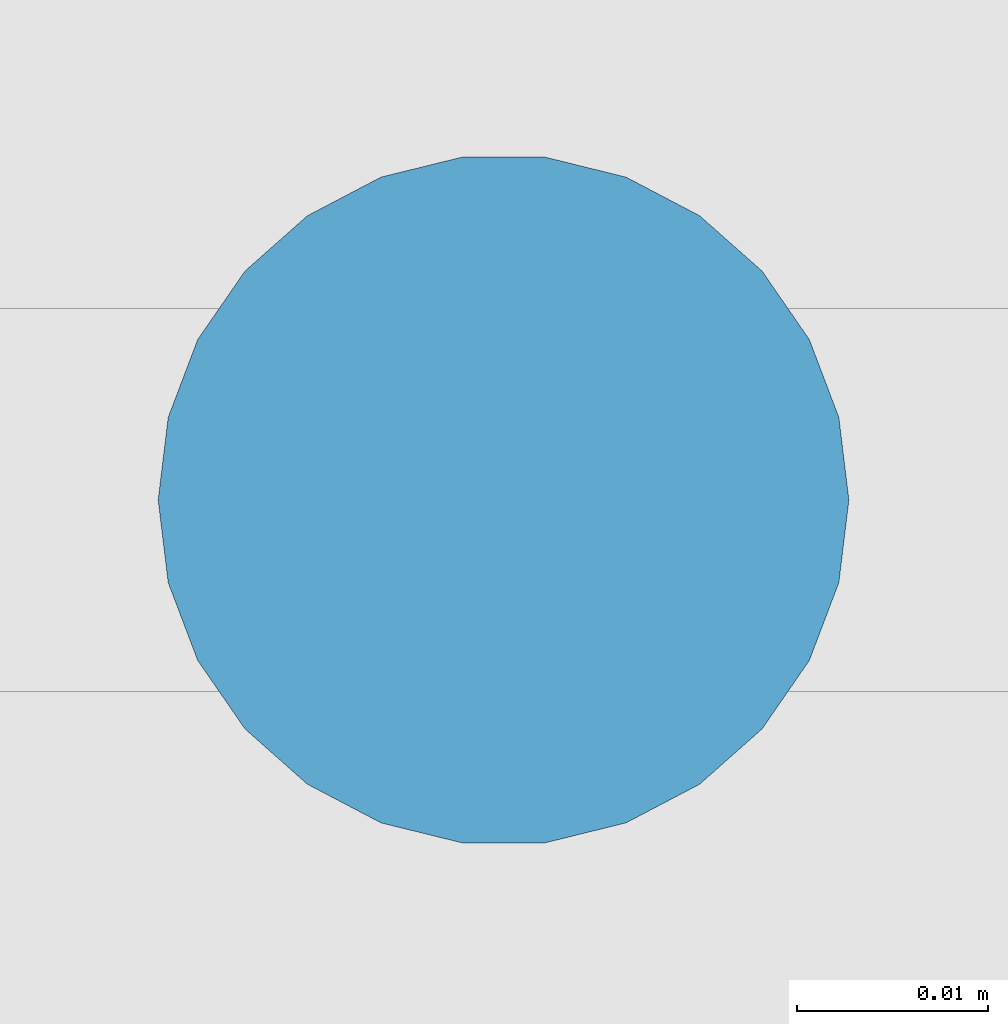
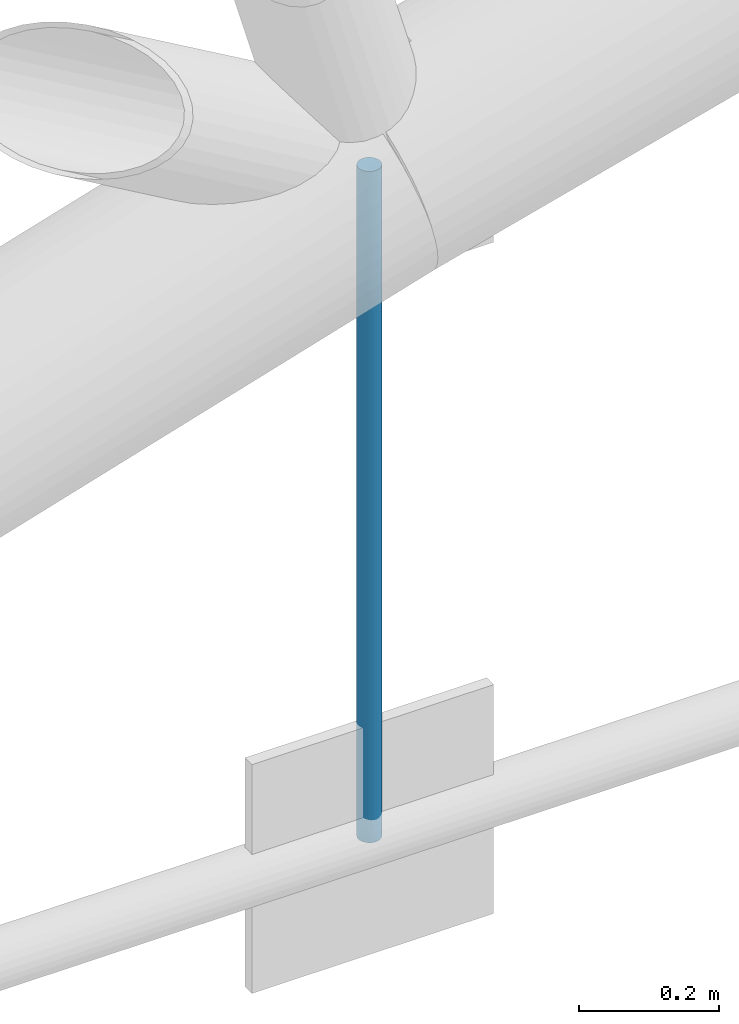
# One storey, part 27 of 321: 1 member.
"""IFC4 building model written with IfcOpenShell, lengths in metres."""

from ifc_helpers import new_model, si_unit, direction, frame, origin, origin_2d, place, context, subcontext, project, spatial, circle, extrude, material, material_profile, profile_set, type_object, element, save


model = new_model("IFC4")

# Units and contexts
model_context = context("Model", 3, precision=1e-05, world=origin(), true_north=direction((0.0, 1.0)))
body_context = subcontext(model_context, "Body", "Model", "MODEL_VIEW")
ifc_project = project(units=[si_unit("LENGTHUNIT", "METRE"), si_unit("AREAUNIT", "SQUARE_METRE"), si_unit("VOLUMEUNIT", "CUBIC_METRE"), si_unit("PLANEANGLEUNIT", "RADIAN"), si_unit("MASSUNIT", "GRAM", prefix="KILO")], contexts=[model_context])

# Site, building, storey
site_placement = place(None, origin())
site = spatial("IfcSite", under=ifc_project, at=site_placement, CompositionType="ELEMENT")
building_placement = place(site_placement, origin())
building = spatial("IfcBuilding", under=site, at=building_placement, Name="Ravi Spectrum Wholesale Market", CompositionType="ELEMENT")
storey_placement = place(building_placement, frame((0.0, 0.0, 10.800048828125)))
storey = spatial("IfcBuildingStorey", under=building, at=storey_placement, Name="L02", CompositionType="ELEMENT", Elevation=10.800048828125)

# Member
ifc_material = material(Name="Steel S355", Category="steel")
ifc_material_profile = material_profile(ifc_material, circle(Radius=0.01806640625, at=origin_2d()))
ifc_profile_set = profile_set([ifc_material_profile], Name="Steel S355")
member_type = type_object("IfcMemberType", Name="ROD 36 hanger", PredefinedType="STRUT", material=ifc_profile_set)
member_placement = place(storey_placement, frame((43.88427734375, 54.0, 0.0), z_axis=(0.0, 0.0, 1.0), x_axis=(1.0, 0.0, 0.0)))
element("IfcMember", 1, at=member_placement, inside=storey, type_object=member_type, Name="H1-MB-L02-257", PredefinedType="STRUT", context=body_context, shape_type="SweptSolid", body=[
    extrude(circle(Radius=0.01806640625, at=origin_2d()), origin(), (0.0, 0.0, 1.0), 1.173095703125),
])

save(model, "model.ifc")
